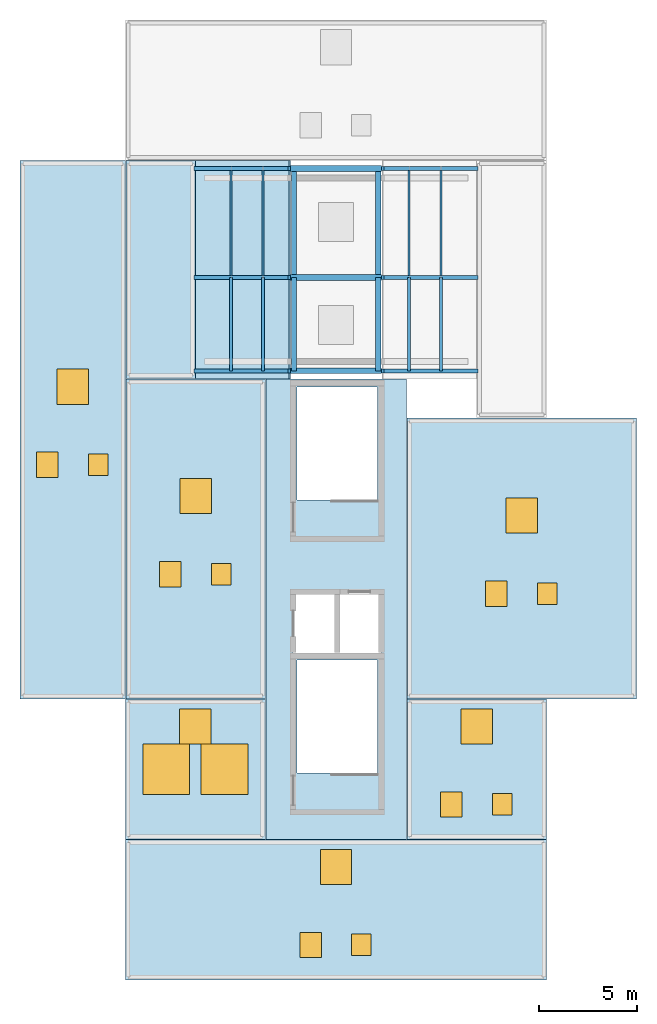
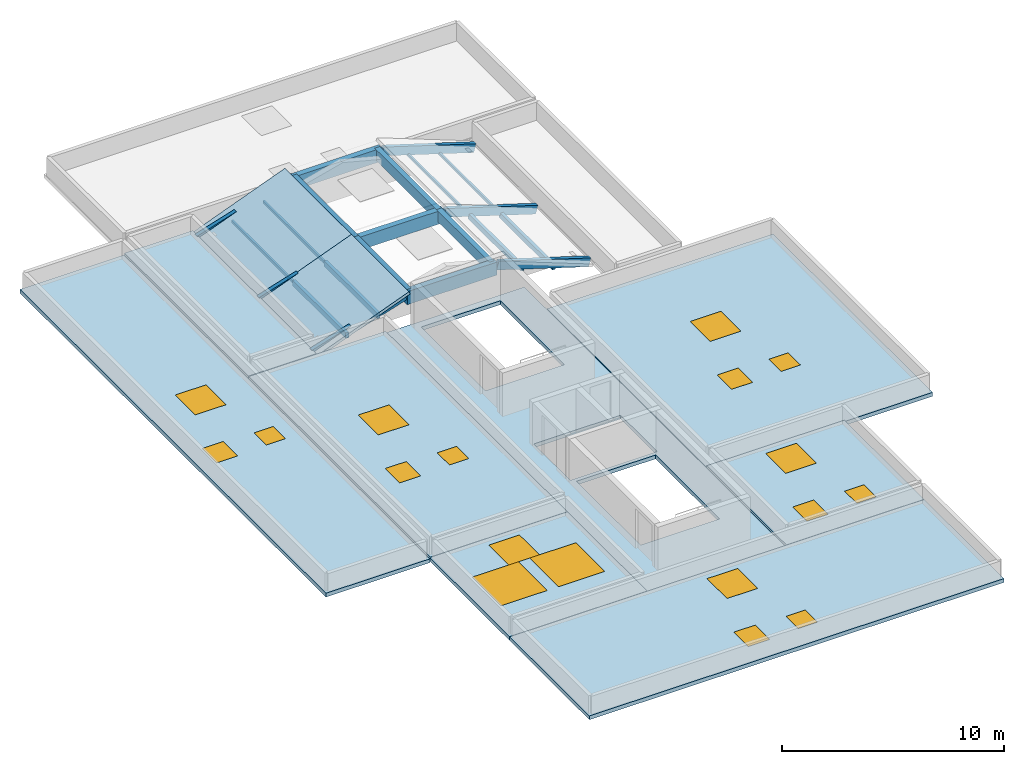
# One storey, part 1 of 5: 14 members, 10 doors, 10 slabs, 8 windows, 7 beams, 18 openings.
"""IFC4 building model written with IfcOpenShell, lengths in metres."""

from ifc_helpers import new_model, si_unit, direction, frame, origin, origin_2d, place, context, subcontext, project, spatial, polyline, rectangle, hollow_rectangle, outline, extrude, material, layer, layer_set, material_profile, profile_set, type_object, element, fill, save


model = new_model("IFC4")

# Units and contexts
model_context = context("Model", 3, precision=1e-05, world=origin(), true_north=direction((0.0, 1.0)))
body_context = subcontext(model_context, "Body", "Model", "MODEL_VIEW")
ifc_project = project(units=[si_unit("LENGTHUNIT", "METRE"), si_unit("AREAUNIT", "SQUARE_METRE"), si_unit("VOLUMEUNIT", "CUBIC_METRE"), si_unit("PLANEANGLEUNIT", "RADIAN"), si_unit("MASSUNIT", "GRAM", prefix="KILO")], contexts=[model_context])

# Site, building, storey
site_placement = place(None, origin())
site = spatial("IfcSite", under=ifc_project, at=site_placement, CompositionType="ELEMENT")
building_placement = place(site_placement, origin())
building = spatial("IfcBuilding", under=site, at=building_placement, Name="Alvorim Cloister Faculty of Sciences", CompositionType="ELEMENT")
storey_placement = place(building_placement, frame((0.0, 0.0, 33.300048828125)))
storey = spatial("IfcBuildingStorey", under=building, at=storey_placement, Name="RF", CompositionType="ELEMENT", Elevation=33.300048828125)

# Beams
ifc_material_1 = material(Name="Glulam GL28h", Category="wood")
ifc_material_profile_1 = material_profile(ifc_material_1, rectangle(XDim=0.260009765625, YDim=0.60009765625, at=origin_2d()), Name="GL28-BM-260x600")
ifc_profile_set_1 = profile_set([ifc_material_profile_1], Name="Glulam GL28h")
beam_type_1 = type_object("IfcBeamType", Name="BM-GL-260x600", PredefinedType="BEAM", material=ifc_profile_set_1)
beam_1_placement = place(storey_placement, frame((15.840087890625, 38.419921875, 1.35302734375), z_axis=(0.0, 1.0, 0.0), x_axis=(-1.0, 0.0, 0.0)))
element("IfcBeam", 1, at=beam_1_placement, inside=storey, type_object=beam_type_1, Name="RF Research Crown Skylight Curb Beam BM-2261", PredefinedType="BEAM", context=body_context, shape_type="SweptSolid", body=[
    extrude(rectangle(XDim=0.260009765625, YDim=0.60009765625, at=origin_2d()), origin(), (0.0, 0.0, 1.0), 4.780029296875),
])
beam_2_placement = place(storey_placement, frame((15.840087890625, 43.199951171875, 1.35302734375), z_axis=(0.0, 1.0, 0.0), x_axis=(-1.0, 0.0, 0.0)))
element("IfcBeam", 2, at=beam_2_placement, inside=storey, type_object=beam_type_1, Name="RF Research Crown Skylight Curb Beam BM-2262", PredefinedType="BEAM", context=body_context, shape_type="SweptSolid", body=[
    extrude(rectangle(XDim=0.260009765625, YDim=0.60009765625, at=origin_2d()), origin(), (0.0, 0.0, 1.0), 5.580078125),
])
beam_3_placement = place(storey_placement, frame((20.159912109375, 38.419921875, 1.35302734375), z_axis=(0.0, 1.0, 0.0), x_axis=(-1.0, 0.0, 0.0)))
element("IfcBeam", 3, at=beam_3_placement, inside=storey, type_object=beam_type_1, Name="RF Research Crown Skylight Curb Beam BM-2263", PredefinedType="BEAM", context=body_context, shape_type="SweptSolid", body=[
    extrude(rectangle(XDim=0.260009765625, YDim=0.60009765625, at=origin_2d()), origin(), (0.0, 0.0, 1.0), 4.780029296875),
])
beam_4_placement = place(storey_placement, frame((20.159912109375, 43.199951171875, 1.35302734375), z_axis=(0.0, 1.0, 0.0), x_axis=(-1.0, 0.0, 0.0)))
element("IfcBeam", 4, at=beam_4_placement, inside=storey, type_object=beam_type_1, Name="RF Research Crown Skylight Curb Beam BM-2264", PredefinedType="BEAM", context=body_context, shape_type="SweptSolid", body=[
    extrude(rectangle(XDim=0.260009765625, YDim=0.60009765625, at=origin_2d()), origin(), (0.0, 0.0, 1.0), 5.580078125),
])
ifc_material_2 = material(Name="Glulam GL32h", Category="wood")
ifc_material_profile_2 = material_profile(ifc_material_2, rectangle(XDim=0.300048828125, YDim=0.719970703125, at=origin_2d()), Name="GL32-BM-300x720")
ifc_profile_set_2 = profile_set([ifc_material_profile_2], Name="Glulam GL32h")
beam_type_2 = type_object("IfcBeamType", Name="BM-GL-300x720", PredefinedType="BEAM", material=ifc_profile_set_2)
for number, where, z_axis, x_axis, name in (
    (5, (15.659912109375, 38.419921875, 1.29296875), (1.0, 0.0, 0.0), (0.0, 1.0, 0.0), "RF Research Crown Lantern Collar Beam BM-2258"),
    (6, (15.659912109375, 43.199951171875, 1.29296875), (1.0, 0.0, 0.0), (0.0, 1.0, 0.0), "RF Research Crown Lantern Collar Beam BM-2259"),
    (7, (15.659912109375, 48.780029296875, 1.29296875), (1.0, 0.0, 0.0), (0.0, 1.0, 0.0), "RF Research Crown Lantern Collar Beam BM-2260"),
):
    element("IfcBeam", number, at=place(storey_placement, frame(where, z_axis=z_axis, x_axis=x_axis)), inside=storey, type_object=beam_type_2, Name=name, PredefinedType="BEAM", context=body_context, shape_type="SweptSolid", body=[
        extrude(rectangle(XDim=0.300048828125, YDim=0.719970703125, at=origin_2d()), origin(), (0.0, 0.0, 1.0), 4.68017578125),
    ])

# Members
ifc_material_profile_3 = material_profile(ifc_material_1, rectangle(XDim=0.159912109375, YDim=0.300048828125, at=origin_2d()), Name="GL28-PUR-160x300")
ifc_profile_set_3 = profile_set([ifc_material_profile_3], Name="Glulam GL28h")
member_type_1 = type_object("IfcMemberType", Name="MB-PUR-GL28", PredefinedType="PURLIN", material=ifc_profile_set_3)
for number, where, z_axis, x_axis, name in (
    (8, (12.6240234375, 38.419921875, 0.229736328125), (0.0, 1.0, 0.0), (-1.0, 0.0, 0.0), "Research Crown Roof Purlin MB-0099"),
    (9, (23.3759765625, 38.419921875, 0.229736328125), (0.0, 1.0, 0.0), (-1.0, 0.0, 0.0), "Research Crown Roof Purlin MB-0101"),
    (10, (14.256103515625, 38.419921875, 0.73974609375), (0.0, 1.0, 0.0), (-1.0, 0.0, 0.0), "Research Crown Roof Purlin MB-0103"),
    (11, (21.743896484375, 38.419921875, 0.73974609375), (0.0, 1.0, 0.0), (-1.0, 0.0, 0.0), "Research Crown Roof Purlin MB-0105"),
):
    element("IfcMember", number, at=place(storey_placement, frame(where, z_axis=z_axis, x_axis=x_axis)), inside=storey, type_object=member_type_1, Name=name, PredefinedType="PURLIN", context=body_context, shape_type="SweptSolid", body=[
        extrude(rectangle(XDim=0.159912109375, YDim=0.300048828125, at=origin_2d()), origin(), (0.0, 0.0, 1.0), 4.780029296875),
    ])
ifc_material_3 = material(Name="Steel ASTM A572 Grade 50", Category="steel")
ifc_material_profile_4 = material_profile(ifc_material_3, hollow_rectangle(XDim=0.10009765625, YDim=0.14990234375, WallThickness=0.008056640625, at=origin_2d()), Name="RHS150x100x8")
ifc_profile_set_4 = profile_set([ifc_material_profile_4], Name="Steel ASTM A572 Grade 50")
member_type_2 = type_object("IfcMemberType", Name="MB-PUR-RHS150", PredefinedType="PURLIN", material=ifc_profile_set_4)
for number, where, z_axis, x_axis, name in (
    (12, (12.6240234375, 43.199951171875, 0.229736328125), (0.0, 1.0, 0.0), (-1.0, 0.0, 0.0), "Research Crown Roof Purlin MB-0100"),
    (13, (23.3759765625, 43.199951171875, 0.229736328125), (0.0, 1.0, 0.0), (-1.0, 0.0, 0.0), "Research Crown Roof Purlin MB-0102"),
    (14, (14.256103515625, 43.199951171875, 0.73974609375), (0.0, 1.0, 0.0), (-1.0, 0.0, 0.0), "Research Crown Roof Purlin MB-0104"),
    (15, (21.743896484375, 43.199951171875, 0.73974609375), (0.0, 1.0, 0.0), (-1.0, 0.0, 0.0), "Research Crown Roof Purlin MB-0106"),
):
    element("IfcMember", number, at=place(storey_placement, frame(where, z_axis=z_axis, x_axis=x_axis)), inside=storey, type_object=member_type_2, Name=name, PredefinedType="PURLIN", context=body_context, shape_type="SweptSolid", body=[
        extrude(hollow_rectangle(XDim=0.10009765625, YDim=0.14990234375, WallThickness=0.008056640625, at=origin_2d()), origin(), (0.0, 0.0, 1.0), 5.580078125),
    ])
ifc_material_profile_5 = material_profile(ifc_material_1, rectangle(XDim=0.199951171875, YDim=0.4599609375, at=origin_2d()), Name="GL28-RAF-200x460")
ifc_profile_set_5 = profile_set([ifc_material_profile_5], Name="Glulam GL28h")
member_type_3 = type_object("IfcMemberType", Name="MB-RAF-GL28", PredefinedType="RAFTER", material=ifc_profile_set_5)
for number, where, z_axis, x_axis, name in (
    (16, (10.800048828125, 38.419921875, -0.10009765625), (0.9544946621, 0.0, 0.298228000065), (0.0, 1.0, 0.0), "Research Crown Gable Rafter MB-0093"),
    (17, (25.199951171875, 38.419921875, -0.10009765625), (-0.9544946621, 0.0, 0.298228000065), (0.0, -1.0, 0.0), "Research Crown Gable Rafter MB-0094"),
    (18, (10.800048828125, 43.199951171875, -0.10009765625), (0.9544946621, 0.0, 0.298228000065), (0.0, 1.0, 0.0), "Research Crown Gable Rafter MB-0095"),
    (19, (25.199951171875, 43.199951171875, -0.10009765625), (-0.9544946621, 0.0, 0.298228000065), (0.0, -1.0, 0.0), "Research Crown Gable Rafter MB-0096"),
    (20, (10.800048828125, 48.780029296875, -0.10009765625), (0.9544946621, 0.0, 0.298228000065), (0.0, 1.0, 0.0), "Research Crown Gable Rafter MB-0097"),
    (21, (25.199951171875, 48.780029296875, -0.10009765625), (-0.9544946621, 0.0, 0.298228000065), (0.0, -1.0, 0.0), "Research Crown Gable Rafter MB-0098"),
):
    element("IfcMember", number, at=place(storey_placement, frame(where, z_axis=z_axis, x_axis=x_axis)), inside=storey, type_object=member_type_3, Name=name, PredefinedType="RAFTER", context=body_context, shape_type="SweptSolid", body=[
        extrude(rectangle(XDim=0.199951171875, YDim=0.4599609375, at=origin_2d()), origin(), (0.0, 0.0, 1.0), 5.02880859375),
    ])

# Slabs
ifc_material_4 = material(Name="Cross-Laminated Timber CLT C24", Category="wood")
ifc_layer_1 = layer(ifc_material_4, 0.2099609375)
ifc_layer_set_1 = layer_set([ifc_layer_1], Name="Cross-Laminated Timber CLT C24")
slab_type_1 = type_object("IfcSlabType", Name="SL-CLT-210", PredefinedType="FLOOR", material=ifc_layer_set_1)
slab_1_placement = place(storey_placement, frame((0.0, 0.0, -0.2099609375)))
element("IfcSlab", 22, at=slab_1_placement, inside=storey, type_object=slab_type_1, Name="RF Core K1 Stair Arrival Floor Slab 56", PredefinedType="FLOOR", context=body_context, shape_type="SweptSolid", body=[
    extrude(outline(polyline([(14.39990234375, 14.39990234375), (14.39990234375, 38.0), (21.60009765625, 38.0), (21.60009765625, 14.39990234375), (14.39990234375, 14.39990234375)]), holes=[polyline([(16.0, 17.81005859375), (20.1201171875, 17.81005859375), (20.1201171875, 23.60009765625), (16.0, 23.60009765625), (16.0, 17.81005859375)]), polyline([(15.800048828125, 23.800048828125), (18.06005859375, 23.800048828125), (20.320068359375, 23.800048828125), (20.320068359375, 27.10009765625), (18.06005859375, 27.10009765625), (15.800048828125, 27.10009765625), (15.800048828125, 23.800048828125)]), polyline([(16.0, 31.81005859375), (20.1201171875, 31.81005859375), (20.1201171875, 37.60009765625), (16.0, 37.60009765625), (16.0, 31.81005859375)])]), origin(), (0.0, 0.0, 1.0), 0.2099609375),
])
ifc_layer_2 = layer(ifc_material_4, 0.159912109375)
ifc_layer_set_2 = layer_set([ifc_layer_2], Name="Cross-Laminated Timber CLT C24")
slab_type_2 = type_object("IfcSlabType", Name="SL-GABLE-160", PredefinedType="ROOF", material=ifc_layer_set_2)
slab_2_placement = place(storey_placement, frame((10.800048828125, 38.0, 0.0), z_axis=(-0.358361708864, 0.0, 0.933582822046), x_axis=(0.933582822046, 0.0, 0.358361708864)))
element("IfcSlab", 23, at=slab_2_placement, inside=storey, type_object=slab_type_2, Name="Research Crown West Gable Roof Bay 1", PredefinedType="ROOF", context=body_context, shape_type="SweptSolid", body=[
    extrude(outline(polyline([(0.0, 0.0), (5.141535078381443, 0.0), (5.141535078381443, 5.199951171875), (0.0, 5.199951171875), (0.0, 0.0)])), origin(), (0.0, 0.0, -1.0), 0.159912109375),
])
slab_3_placement = place(storey_placement, frame((10.800048828125, 43.199951171875, 0.0), z_axis=(-0.358361708864, 0.0, 0.933582822046), x_axis=(0.933582822046, 0.0, 0.358361708864)))
element("IfcSlab", 24, at=slab_3_placement, inside=storey, type_object=slab_type_2, Name="Research Crown West Gable Roof Bay 2", PredefinedType="ROOF", context=body_context, shape_type="SweptSolid", body=[
    extrude(outline(polyline([(0.0, 0.0), (5.141535078381443, 0.0), (5.141535078381443, 6.0), (0.0, 6.0), (0.0, 0.0)])), origin(), (0.0, 0.0, -1.0), 0.159912109375),
])

# Slab, openings, doors, window
ifc_layer_3 = layer(ifc_material_4, 0.2099609375)
ifc_layer_set_3 = layer_set([ifc_layer_3], Name="Cross-Laminated Timber CLT C24")
slab_type_3 = type_object("IfcSlabType", Name="SL-ROOF-210", PredefinedType="ROOF", material=ifc_layer_set_3)
slab_4_placement = place(storey_placement, frame((0.0, 0.0, -0.110107421875)))
slab_4 = element("IfcSlab", 25, at=slab_4_placement, inside=storey, type_object=slab_type_3, Name="RF Roof Deck RF-V5S", PredefinedType="ROOF", context=body_context, shape_type="SweptSolid", body=[
    extrude(outline(polyline([(7.205078125, 7.205078125), (28.794921875, 7.205078125), (28.794921875, 14.39501953125), (7.205078125, 14.39501953125), (7.205078125, 7.205078125)])), origin(), (0.0, 0.0, 1.0), 0.2099609375),
])
opening_1_placement = place(slab_4_placement, frame((16.699951171875, 9.0, -0.011962890625)))
opening_1 = element("IfcOpeningElement", 26, at=opening_1_placement, cuts=slab_4, Name="Opening RH-07", PredefinedType="OPENING", context=body_context, shape_type="SweptSolid", body=[
    extrude(rectangle(XDim=1.10009765625, YDim=1.300048828125, at=origin_2d()), origin(), (0.0, 0.0, 1.0), 0.23388671875),
])
opening_2_placement = place(slab_4_placement, frame((19.300048828125, 9.0, -0.011962890625)))
opening_2 = element("IfcOpeningElement", 27, at=opening_2_placement, cuts=slab_4, Name="Opening RH-08", PredefinedType="OPENING", context=body_context, shape_type="SweptSolid", body=[
    extrude(rectangle(XDim=1.0, YDim=1.10009765625, at=origin_2d()), origin(), (0.0, 0.0, 1.0), 0.23388671875),
])
opening_3_placement = place(slab_4_placement, frame((18.0, 13.0, -0.011962890625)))
opening_3 = element("IfcOpeningElement", 28, at=opening_3_placement, cuts=slab_4, Name="Opening SK-37", PredefinedType="OPENING", context=body_context, shape_type="SweptSolid", body=[
    extrude(rectangle(XDim=1.60009765625, YDim=1.800048828125, at=origin_2d()), origin(), (0.0, 0.0, 1.0), 0.23388671875),
])
ifc_material_5 = material(Name="Galvanised Steel Sheet", Category="steel")
door_type_1 = type_object("IfcDoorType", Name="DR-HATCH-1000x1100", OperationType="NOTDEFINED", PredefinedType="TRAPDOOR", material=ifc_material_5)
door_1_placement = place(slab_4_placement, frame((19.300048828125, 9.0, 0.159912109375)))
door_1 = element("IfcDoor", 29, at=door_1_placement, inside=storey, type_object=door_type_1, Name="Roof Maintenance Access Hatch RH-08", OperationType="SINGLE_SWING_LEFT", OverallHeight=1.10009765625, OverallWidth=1.0, PredefinedType="TRAPDOOR", context=body_context, shape_type="SweptSolid", body=[
    extrude(rectangle(XDim=1.0, YDim=1.10009765625, at=origin_2d()), origin(), (0.0, 0.0, 1.0), 0.050048828125),
])
fill(opening_2, door_1)
door_type_2 = type_object("IfcDoorType", Name="DR-HATCH-1100x1300", OperationType="NOTDEFINED", PredefinedType="TRAPDOOR", material=ifc_material_5)
door_2_placement = place(slab_4_placement, frame((16.699951171875, 9.0, 0.159912109375)))
door_2 = element("IfcDoor", 30, at=door_2_placement, inside=storey, type_object=door_type_2, Name="Roof Maintenance Access Hatch RH-07", OperationType="SINGLE_SWING_LEFT", OverallHeight=1.300048828125, OverallWidth=1.10009765625, PredefinedType="TRAPDOOR", context=body_context, shape_type="SweptSolid", body=[
    extrude(rectangle(XDim=1.10009765625, YDim=1.300048828125, at=origin_2d()), origin(), (0.0, 0.0, 1.0), 0.050048828125),
])
fill(opening_1, door_2)
ifc_material_6 = material(Name="Double Low-E Laminated Glass", Category="glass")
window_type_1 = type_object("IfcWindowType", Name="WN-SKY-1600x1800", PartitioningType="SINGLE_PANEL", PredefinedType="SKYLIGHT", material=ifc_material_6)
window_1_placement = place(slab_4_placement, frame((18.0, 13.0, 0.159912109375)))
window_1 = element("IfcWindow", 31, at=window_1_placement, inside=storey, type_object=window_type_1, Name="Roof Daylighting Skylight SK-37", OverallHeight=1.800048828125, OverallWidth=1.60009765625, PartitioningType="SINGLE_PANEL", PredefinedType="SKYLIGHT", context=body_context, shape_type="SweptSolid", body=[
    extrude(rectangle(XDim=1.60009765625, YDim=1.800048828125, at=origin_2d()), origin(), (0.0, 0.0, 1.0), 0.050048828125),
])
fill(opening_3, window_1)

# Slab, openings, windows
slab_5_placement = place(storey_placement, frame((0.0, 0.0, -0.110107421875)))
slab_5 = element("IfcSlab", 32, at=slab_5_placement, inside=storey, type_object=slab_type_3, Name="RF Roof Deck RF-ATR-SLOT", PredefinedType="ROOF", context=body_context, shape_type="SweptSolid", body=[
    extrude(outline(polyline([(7.205078125, 14.405029296875), (14.375, 14.405029296875), (14.375, 21.594970703125), (7.205078125, 21.594970703125), (7.205078125, 14.405029296875)])), origin(), (0.0, 0.0, 1.0), 0.2099609375),
])
opening_4_placement = place(slab_5_placement, frame((9.294921875, 18.0, -0.011962890625)))
opening_4 = element("IfcOpeningElement", 33, at=opening_4_placement, cuts=slab_5, Name="Opening SK-01", PredefinedType="OPENING", context=body_context, shape_type="SweptSolid", body=[
    extrude(rectangle(XDim=2.39990234375, YDim=2.60009765625, at=origin_2d()), origin(), (0.0, 0.0, 1.0), 0.23388671875),
])
opening_5_placement = place(slab_5_placement, frame((12.284912109375, 18.0, -0.011962890625)))
opening_5 = element("IfcOpeningElement", 34, at=opening_5_placement, cuts=slab_5, Name="Opening SK-02", PredefinedType="OPENING", context=body_context, shape_type="SweptSolid", body=[
    extrude(rectangle(XDim=2.39990234375, YDim=2.60009765625, at=origin_2d()), origin(), (0.0, 0.0, 1.0), 0.23388671875),
])
opening_6_placement = place(slab_5_placement, frame((10.7900390625, 20.199951171875, -0.011962890625)))
opening_6 = element("IfcOpeningElement", 35, at=opening_6_placement, cuts=slab_5, Name="Opening SK-38", PredefinedType="OPENING", context=body_context, shape_type="SweptSolid", body=[
    extrude(rectangle(XDim=1.60009765625, YDim=1.800048828125, at=origin_2d()), origin(), (0.0, 0.0, 1.0), 0.23388671875),
])
window_2_placement = place(slab_5_placement, frame((10.7900390625, 20.199951171875, 0.159912109375)))
window_2 = element("IfcWindow", 36, at=window_2_placement, inside=storey, type_object=window_type_1, Name="Roof Daylighting Skylight SK-38", OverallHeight=1.800048828125, OverallWidth=1.60009765625, PartitioningType="SINGLE_PANEL", PredefinedType="SKYLIGHT", context=body_context, shape_type="SweptSolid", body=[
    extrude(rectangle(XDim=1.60009765625, YDim=1.800048828125, at=origin_2d()), origin(), (0.0, 0.0, 1.0), 0.050048828125),
])
fill(opening_6, window_2)
window_type_2 = type_object("IfcWindowType", Name="WN-SKY-2400x2600", PartitioningType="SINGLE_PANEL", PredefinedType="SKYLIGHT", material=ifc_material_6)
window_3_placement = place(slab_5_placement, frame((9.294921875, 18.0, 0.159912109375)))
window_3 = element("IfcWindow", 37, at=window_3_placement, inside=storey, type_object=window_type_2, Name="Lantern Crest Skylight SK-01", OverallHeight=2.60009765625, OverallWidth=2.39990234375, PartitioningType="SINGLE_PANEL", PredefinedType="SKYLIGHT", context=body_context, shape_type="SweptSolid", body=[
    extrude(rectangle(XDim=2.39990234375, YDim=2.60009765625, at=origin_2d()), origin(), (0.0, 0.0, 1.0), 0.050048828125),
])
fill(opening_4, window_3)
window_4_placement = place(slab_5_placement, frame((12.284912109375, 18.0, 0.159912109375)))
window_4 = element("IfcWindow", 38, at=window_4_placement, inside=storey, type_object=window_type_2, Name="Lantern Crest Skylight SK-02", OverallHeight=2.60009765625, OverallWidth=2.39990234375, PartitioningType="SINGLE_PANEL", PredefinedType="SKYLIGHT", context=body_context, shape_type="SweptSolid", body=[
    extrude(rectangle(XDim=2.39990234375, YDim=2.60009765625, at=origin_2d()), origin(), (0.0, 0.0, 1.0), 0.050048828125),
])
fill(opening_5, window_4)

# Slab, openings, doors, window
slab_6_placement = place(storey_placement, frame((0.0, 0.0, -0.110107421875)))
slab_6 = element("IfcSlab", 39, at=slab_6_placement, inside=storey, type_object=slab_type_3, Name="RF Roof Deck RF-V5SE", PredefinedType="ROOF", context=body_context, shape_type="SweptSolid", body=[
    extrude(outline(polyline([(21.625, 14.405029296875), (28.794921875, 14.405029296875), (28.794921875, 21.594970703125), (21.625, 21.594970703125), (21.625, 14.405029296875)])), origin(), (0.0, 0.0, 1.0), 0.2099609375),
])
opening_7_placement = place(slab_6_placement, frame((23.909912109375, 16.199951171875, -0.011962890625)))
opening_7 = element("IfcOpeningElement", 40, at=opening_7_placement, cuts=slab_6, Name="Opening RH-09", PredefinedType="OPENING", context=body_context, shape_type="SweptSolid", body=[
    extrude(rectangle(XDim=1.10009765625, YDim=1.300048828125, at=origin_2d()), origin(), (0.0, 0.0, 1.0), 0.23388671875),
])
opening_8_placement = place(slab_6_placement, frame((26.510009765625, 16.199951171875, -0.011962890625)))
opening_8 = element("IfcOpeningElement", 41, at=opening_8_placement, cuts=slab_6, Name="Opening RH-10", PredefinedType="OPENING", context=body_context, shape_type="SweptSolid", body=[
    extrude(rectangle(XDim=1.0, YDim=1.10009765625, at=origin_2d()), origin(), (0.0, 0.0, 1.0), 0.23388671875),
])
opening_9_placement = place(slab_6_placement, frame((25.2099609375, 20.199951171875, -0.011962890625)))
opening_9 = element("IfcOpeningElement", 42, at=opening_9_placement, cuts=slab_6, Name="Opening SK-39", PredefinedType="OPENING", context=body_context, shape_type="SweptSolid", body=[
    extrude(rectangle(XDim=1.60009765625, YDim=1.800048828125, at=origin_2d()), origin(), (0.0, 0.0, 1.0), 0.23388671875),
])
door_3_placement = place(slab_6_placement, frame((26.510009765625, 16.199951171875, 0.159912109375)))
door_3 = element("IfcDoor", 43, at=door_3_placement, inside=storey, type_object=door_type_1, Name="Roof Maintenance Access Hatch RH-10", OperationType="SINGLE_SWING_LEFT", OverallHeight=1.10009765625, OverallWidth=1.0, PredefinedType="TRAPDOOR", context=body_context, shape_type="SweptSolid", body=[
    extrude(rectangle(XDim=1.0, YDim=1.10009765625, at=origin_2d()), origin(), (0.0, 0.0, 1.0), 0.050048828125),
])
fill(opening_8, door_3)
door_4_placement = place(slab_6_placement, frame((23.909912109375, 16.199951171875, 0.159912109375)))
door_4 = element("IfcDoor", 44, at=door_4_placement, inside=storey, type_object=door_type_2, Name="Roof Maintenance Access Hatch RH-09", OperationType="SINGLE_SWING_LEFT", OverallHeight=1.300048828125, OverallWidth=1.10009765625, PredefinedType="TRAPDOOR", context=body_context, shape_type="SweptSolid", body=[
    extrude(rectangle(XDim=1.10009765625, YDim=1.300048828125, at=origin_2d()), origin(), (0.0, 0.0, 1.0), 0.050048828125),
])
fill(opening_7, door_4)
window_5_placement = place(slab_6_placement, frame((25.2099609375, 20.199951171875, 0.159912109375)))
window_5 = element("IfcWindow", 45, at=window_5_placement, inside=storey, type_object=window_type_1, Name="Roof Daylighting Skylight SK-39", OverallHeight=1.800048828125, OverallWidth=1.60009765625, PartitioningType="SINGLE_PANEL", PredefinedType="SKYLIGHT", context=body_context, shape_type="SweptSolid", body=[
    extrude(rectangle(XDim=1.60009765625, YDim=1.800048828125, at=origin_2d()), origin(), (0.0, 0.0, 1.0), 0.050048828125),
])
fill(opening_9, window_5)

slab_7_placement = place(storey_placement, frame((0.0, 0.0, -0.199951171875)))
slab_7 = element("IfcSlab", 46, at=slab_7_placement, inside=storey, type_object=slab_type_3, Name="RF Roof Deck RF-V5W", PredefinedType="ROOF", context=body_context, shape_type="SweptSolid", body=[
    extrude(outline(polyline([(1.804931640625, 21.60498046875), (7.215087890625, 21.60498046875), (7.215087890625, 49.195068359375), (1.804931640625, 49.195068359375), (1.804931640625, 21.60498046875)])), origin(), (0.0, 0.0, 1.0), 0.2099609375),
])
opening_10_placement = place(slab_7_placement, frame((3.2099609375, 33.60009765625, -0.011962890625)))
opening_10 = element("IfcOpeningElement", 47, at=opening_10_placement, cuts=slab_7, Name="Opening RH-11", PredefinedType="OPENING", context=body_context, shape_type="SweptSolid", body=[
    extrude(rectangle(XDim=1.10009765625, YDim=1.300048828125, at=origin_2d()), origin(), (0.0, 0.0, 1.0), 0.23388671875),
])
opening_11_placement = place(slab_7_placement, frame((5.81005859375, 33.60009765625, -0.011962890625)))
opening_11 = element("IfcOpeningElement", 48, at=opening_11_placement, cuts=slab_7, Name="Opening RH-12", PredefinedType="OPENING", context=body_context, shape_type="SweptSolid", body=[
    extrude(rectangle(XDim=1.0, YDim=1.10009765625, at=origin_2d()), origin(), (0.0, 0.0, 1.0), 0.23388671875),
])
opening_12_placement = place(slab_7_placement, frame((4.510009765625, 37.60009765625, -0.011962890625)))
opening_12 = element("IfcOpeningElement", 49, at=opening_12_placement, cuts=slab_7, Name="Opening SK-40", PredefinedType="OPENING", context=body_context, shape_type="SweptSolid", body=[
    extrude(rectangle(XDim=1.60009765625, YDim=1.800048828125, at=origin_2d()), origin(), (0.0, 0.0, 1.0), 0.23388671875),
])
door_5_placement = place(slab_7_placement, frame((5.81005859375, 33.60009765625, 0.159912109375)))
door_5 = element("IfcDoor", 50, at=door_5_placement, inside=storey, type_object=door_type_1, Name="Roof Maintenance Access Hatch RH-12", OperationType="SINGLE_SWING_LEFT", OverallHeight=1.10009765625, OverallWidth=1.0, PredefinedType="TRAPDOOR", context=body_context, shape_type="SweptSolid", body=[
    extrude(rectangle(XDim=1.0, YDim=1.10009765625, at=origin_2d()), origin(), (0.0, 0.0, 1.0), 0.050048828125),
])
fill(opening_11, door_5)
door_6_placement = place(slab_7_placement, frame((3.2099609375, 33.60009765625, 0.159912109375)))
door_6 = element("IfcDoor", 51, at=door_6_placement, inside=storey, type_object=door_type_2, Name="Roof Maintenance Access Hatch RH-11", OperationType="SINGLE_SWING_LEFT", OverallHeight=1.300048828125, OverallWidth=1.10009765625, PredefinedType="TRAPDOOR", context=body_context, shape_type="SweptSolid", body=[
    extrude(rectangle(XDim=1.10009765625, YDim=1.300048828125, at=origin_2d()), origin(), (0.0, 0.0, 1.0), 0.050048828125),
])
fill(opening_10, door_6)
window_6_placement = place(slab_7_placement, frame((4.510009765625, 37.60009765625, 0.159912109375)))
window_6 = element("IfcWindow", 52, at=window_6_placement, inside=storey, type_object=window_type_1, Name="Roof Daylighting Skylight SK-40", OverallHeight=1.800048828125, OverallWidth=1.60009765625, PartitioningType="SINGLE_PANEL", PredefinedType="SKYLIGHT", context=body_context, shape_type="SweptSolid", body=[
    extrude(rectangle(XDim=1.60009765625, YDim=1.800048828125, at=origin_2d()), origin(), (0.0, 0.0, 1.0), 0.050048828125),
])
fill(opening_12, window_6)

# Slab
slab_8_placement = place(storey_placement, frame((0.0, 0.0, -0.110107421875)))
element("IfcSlab", 53, at=slab_8_placement, inside=storey, type_object=slab_type_3, Name="RF Roof Deck RF-V5WN", PredefinedType="ROOF", context=body_context, shape_type="SweptSolid", body=[
    extrude(outline(polyline([(7.2451171875, 38.02490234375), (10.794921875, 38.02490234375), (10.794921875, 49.195068359375), (7.2451171875, 49.195068359375), (7.2451171875, 38.02490234375)])), origin(), (0.0, 0.0, 1.0), 0.2099609375),
])

# Slab, openings, doors, window
slab_9_placement = place(storey_placement, frame((0.0, 0.0, -0.110107421875)))
slab_9 = element("IfcSlab", 54, at=slab_9_placement, inside=storey, type_object=slab_type_3, Name="RF Roof Deck RF-V5WC", PredefinedType="ROOF", context=body_context, shape_type="SweptSolid", body=[
    extrude(outline(polyline([(7.2451171875, 21.60498046875), (14.375, 21.60498046875), (14.375, 37.9951171875), (7.2451171875, 37.9951171875), (7.2451171875, 21.60498046875)])), origin(), (0.0, 0.0, 1.0), 0.2099609375),
])
opening_13_placement = place(slab_9_placement, frame((9.510009765625, 28.0, -0.011962890625)))
opening_13 = element("IfcOpeningElement", 55, at=opening_13_placement, cuts=slab_9, Name="Opening RH-13", PredefinedType="OPENING", context=body_context, shape_type="SweptSolid", body=[
    extrude(rectangle(XDim=1.10009765625, YDim=1.300048828125, at=origin_2d()), origin(), (0.0, 0.0, 1.0), 0.23388671875),
])
opening_14_placement = place(slab_9_placement, frame((12.110107421875, 28.0, -0.011962890625)))
opening_14 = element("IfcOpeningElement", 56, at=opening_14_placement, cuts=slab_9, Name="Opening RH-14", PredefinedType="OPENING", context=body_context, shape_type="SweptSolid", body=[
    extrude(rectangle(XDim=1.0, YDim=1.10009765625, at=origin_2d()), origin(), (0.0, 0.0, 1.0), 0.23388671875),
])
opening_15_placement = place(slab_9_placement, frame((10.81005859375, 32.0, -0.011962890625)))
opening_15 = element("IfcOpeningElement", 57, at=opening_15_placement, cuts=slab_9, Name="Opening SK-41", PredefinedType="OPENING", context=body_context, shape_type="SweptSolid", body=[
    extrude(rectangle(XDim=1.60009765625, YDim=1.800048828125, at=origin_2d()), origin(), (0.0, 0.0, 1.0), 0.23388671875),
])
door_7_placement = place(slab_9_placement, frame((12.110107421875, 28.0, 0.159912109375)))
door_7 = element("IfcDoor", 58, at=door_7_placement, inside=storey, type_object=door_type_1, Name="Roof Maintenance Access Hatch RH-14", OperationType="SINGLE_SWING_LEFT", OverallHeight=1.10009765625, OverallWidth=1.0, PredefinedType="TRAPDOOR", context=body_context, shape_type="SweptSolid", body=[
    extrude(rectangle(XDim=1.0, YDim=1.10009765625, at=origin_2d()), origin(), (0.0, 0.0, 1.0), 0.050048828125),
])
fill(opening_14, door_7)
door_8_placement = place(slab_9_placement, frame((9.510009765625, 28.0, 0.159912109375)))
door_8 = element("IfcDoor", 59, at=door_8_placement, inside=storey, type_object=door_type_2, Name="Roof Maintenance Access Hatch RH-13", OperationType="SINGLE_SWING_LEFT", OverallHeight=1.300048828125, OverallWidth=1.10009765625, PredefinedType="TRAPDOOR", context=body_context, shape_type="SweptSolid", body=[
    extrude(rectangle(XDim=1.10009765625, YDim=1.300048828125, at=origin_2d()), origin(), (0.0, 0.0, 1.0), 0.050048828125),
])
fill(opening_13, door_8)
window_7_placement = place(slab_9_placement, frame((10.81005859375, 32.0, 0.159912109375)))
window_7 = element("IfcWindow", 60, at=window_7_placement, inside=storey, type_object=window_type_1, Name="Roof Daylighting Skylight SK-41", OverallHeight=1.800048828125, OverallWidth=1.60009765625, PartitioningType="SINGLE_PANEL", PredefinedType="SKYLIGHT", context=body_context, shape_type="SweptSolid", body=[
    extrude(rectangle(XDim=1.60009765625, YDim=1.800048828125, at=origin_2d()), origin(), (0.0, 0.0, 1.0), 0.050048828125),
])
fill(opening_15, window_7)

slab_10_placement = place(storey_placement, frame((0.0, 0.0, -0.199951171875)))
slab_10 = element("IfcSlab", 61, at=slab_10_placement, inside=storey, type_object=slab_type_3, Name="RF Roof Deck RF-V5E", PredefinedType="ROOF", context=body_context, shape_type="SweptSolid", body=[
    extrude(outline(polyline([(21.625, 21.60498046875), (33.39501953125, 21.60498046875), (33.39501953125, 35.9951171875), (21.625, 35.9951171875), (21.625, 21.60498046875)])), origin(), (0.0, 0.0, 1.0), 0.2099609375),
])
opening_16_placement = place(slab_10_placement, frame((26.2099609375, 27.0, -0.011962890625)))
opening_16 = element("IfcOpeningElement", 62, at=opening_16_placement, cuts=slab_10, Name="Opening RH-17", PredefinedType="OPENING", context=body_context, shape_type="SweptSolid", body=[
    extrude(rectangle(XDim=1.10009765625, YDim=1.300048828125, at=origin_2d()), origin(), (0.0, 0.0, 1.0), 0.23388671875),
])
opening_17_placement = place(slab_10_placement, frame((28.81005859375, 27.0, -0.011962890625)))
opening_17 = element("IfcOpeningElement", 63, at=opening_17_placement, cuts=slab_10, Name="Opening RH-18", PredefinedType="OPENING", context=body_context, shape_type="SweptSolid", body=[
    extrude(rectangle(XDim=1.0, YDim=1.10009765625, at=origin_2d()), origin(), (0.0, 0.0, 1.0), 0.23388671875),
])
opening_18_placement = place(slab_10_placement, frame((27.510009765625, 31.0, -0.011962890625)))
opening_18 = element("IfcOpeningElement", 64, at=opening_18_placement, cuts=slab_10, Name="Opening SK-43", PredefinedType="OPENING", context=body_context, shape_type="SweptSolid", body=[
    extrude(rectangle(XDim=1.60009765625, YDim=1.800048828125, at=origin_2d()), origin(), (0.0, 0.0, 1.0), 0.23388671875),
])
door_9_placement = place(slab_10_placement, frame((28.81005859375, 27.0, 0.159912109375)))
door_9 = element("IfcDoor", 65, at=door_9_placement, inside=storey, type_object=door_type_1, Name="Roof Maintenance Access Hatch RH-18", OperationType="SINGLE_SWING_LEFT", OverallHeight=1.10009765625, OverallWidth=1.0, PredefinedType="TRAPDOOR", context=body_context, shape_type="SweptSolid", body=[
    extrude(rectangle(XDim=1.0, YDim=1.10009765625, at=origin_2d()), origin(), (0.0, 0.0, 1.0), 0.050048828125),
])
fill(opening_17, door_9)
door_10_placement = place(slab_10_placement, frame((26.2099609375, 27.0, 0.159912109375)))
door_10 = element("IfcDoor", 66, at=door_10_placement, inside=storey, type_object=door_type_2, Name="Roof Maintenance Access Hatch RH-17", OperationType="SINGLE_SWING_LEFT", OverallHeight=1.300048828125, OverallWidth=1.10009765625, PredefinedType="TRAPDOOR", context=body_context, shape_type="SweptSolid", body=[
    extrude(rectangle(XDim=1.10009765625, YDim=1.300048828125, at=origin_2d()), origin(), (0.0, 0.0, 1.0), 0.050048828125),
])
fill(opening_16, door_10)
window_8_placement = place(slab_10_placement, frame((27.510009765625, 31.0, 0.159912109375)))
window_8 = element("IfcWindow", 67, at=window_8_placement, inside=storey, type_object=window_type_1, Name="Roof Daylighting Skylight SK-43", OverallHeight=1.800048828125, OverallWidth=1.60009765625, PartitioningType="SINGLE_PANEL", PredefinedType="SKYLIGHT", context=body_context, shape_type="SweptSolid", body=[
    extrude(rectangle(XDim=1.60009765625, YDim=1.800048828125, at=origin_2d()), origin(), (0.0, 0.0, 1.0), 0.050048828125),
])
fill(opening_18, window_8)

save(model, "model.ifc")
